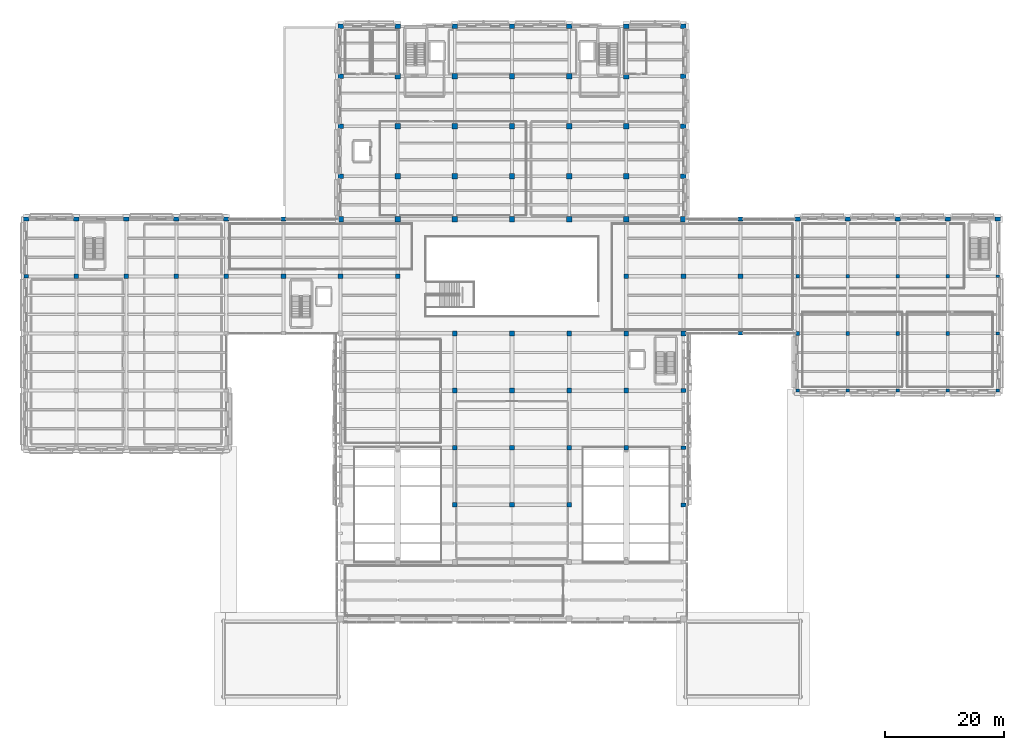
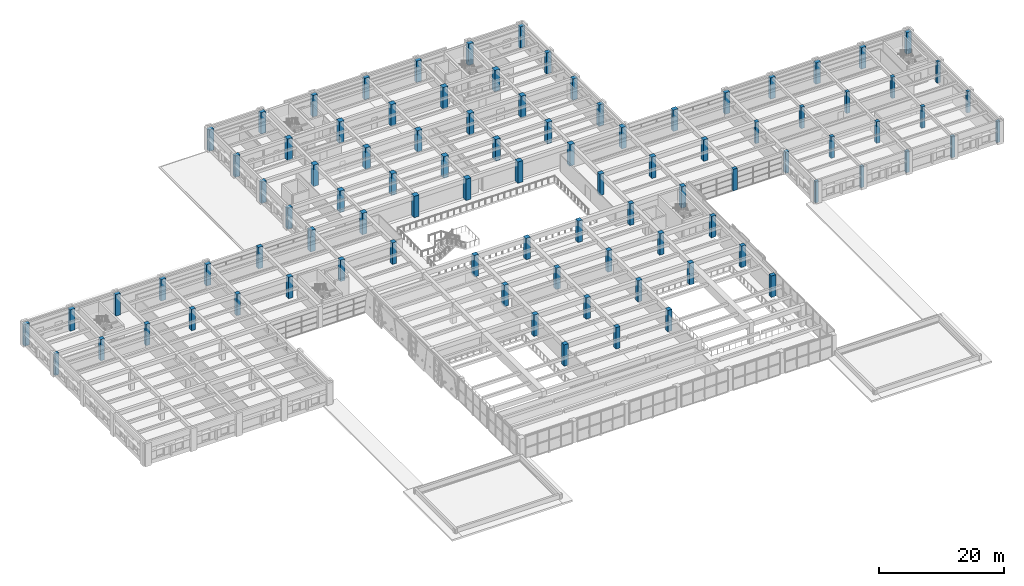
# One storey, part 5 of 49: 93 columns.
"""IFC4 building model written with IfcOpenShell, lengths in metres."""

from ifc_helpers import new_model, si_unit, direction, frame, origin, origin_2d, place, context, subcontext, project, spatial, rectangle, extrude, material, material_profile, profile_set, type_object, element, save


model = new_model("IFC4")

# Units and contexts
model_context = context("Model", 3, precision=1e-05, world=origin(), true_north=direction((0.0, 1.0)))
body_context = subcontext(model_context, "Body", "Model", "MODEL_VIEW")
ifc_project = project(units=[si_unit("LENGTHUNIT", "METRE"), si_unit("AREAUNIT", "SQUARE_METRE"), si_unit("VOLUMEUNIT", "CUBIC_METRE"), si_unit("PLANEANGLEUNIT", "RADIAN"), si_unit("MASSUNIT", "GRAM", prefix="KILO")], contexts=[model_context])

# Site, building, storey
site_placement = place(None, origin())
site = spatial("IfcSite", under=ifc_project, at=site_placement, CompositionType="ELEMENT")
building_placement = place(site_placement, origin())
building = spatial("IfcBuilding", under=site, at=building_placement, Name="Bempovik Park Faculty of Sciences", CompositionType="ELEMENT")
storey_placement = place(building_placement, frame((0.0, 0.0, 5.39990234375)))
storey = spatial("IfcBuildingStorey", under=building, at=storey_placement, Name="L01", CompositionType="ELEMENT", Elevation=5.39990234375)

# Columns
ifc_material_1 = material(Name="Concrete C40/50", Category="concrete")
ifc_material_profile_1 = material_profile(ifc_material_1, rectangle(XDim=0.89990234375, YDim=0.89990234375, at=origin_2d()), Name="RC 900x900")
ifc_profile_set_1 = profile_set([ifc_material_profile_1], Name="Concrete C40/50")
column_type_1 = type_object("IfcColumnType", Name="C-16 RC 900x900", PredefinedType="COLUMN", material=ifc_profile_set_1)
for number, where, z_axis, x_axis, name in (
    (1, (60.0, 87.0, 0.0), (0.0, 0.0, 1.0), (1.0, 0.0, 0.0), "L01 Structural Column (60.0,87.0)"),
    (2, (69.60009765625, 87.0, 0.0), (0.0, 0.0, 1.0), (1.0, 0.0, 0.0), "L01 Structural Column (69.6,87.0)"),
    (3, (69.60009765625, 94.199951171875, 0.0), (0.0, 0.0, 1.0), (1.0, 0.0, 0.0), "L01 Structural Column (69.6,94.2)"),
    (4, (69.60009765625, 102.60009765625, 0.0), (0.0, 0.0, 1.0), (1.0, 0.0, 0.0), "L01 Structural Column (69.6,102.6)"),
    (5, (69.60009765625, 111.0, 0.0), (0.0, 0.0, 1.0), (1.0, 0.0, 0.0), "L01 Structural Column (69.6,111.0)"),
    (6, (79.199951171875, 87.0, 0.0), (0.0, 0.0, 1.0), (1.0, 0.0, 0.0), "L01 Structural Column (79.2,87.0)"),
    (7, (79.199951171875, 94.199951171875, 0.0), (0.0, 0.0, 1.0), (1.0, 0.0, 0.0), "L01 Structural Column (79.2,94.2)"),
    (8, (79.199951171875, 102.60009765625, 0.0), (0.0, 0.0, 1.0), (1.0, 0.0, 0.0), "L01 Structural Column (79.2,102.6)"),
    (9, (79.199951171875, 111.0, 0.0), (0.0, 0.0, 1.0), (1.0, 0.0, 0.0), "L01 Structural Column (79.2,111.0)"),
    (10, (88.800048828125, 87.0, 0.0), (0.0, 0.0, 1.0), (1.0, 0.0, 0.0), "L01 Structural Column (88.8,87.0)"),
    (11, (88.800048828125, 94.199951171875, 0.0), (0.0, 0.0, 1.0), (1.0, 0.0, 0.0), "L01 Structural Column (88.8,94.2)"),
    (12, (88.800048828125, 102.60009765625, 0.0), (0.0, 0.0, 1.0), (1.0, 0.0, 0.0), "L01 Structural Column (88.8,102.6)"),
    (13, (88.800048828125, 111.0, 0.0), (0.0, 0.0, 1.0), (1.0, 0.0, 0.0), "L01 Structural Column (88.8,111.0)"),
    (14, (98.39990234375, 87.0, 0.0), (0.0, 0.0, 1.0), (1.0, 0.0, 0.0), "L01 Structural Column (98.4,87.0)"),
    (15, (98.39990234375, 94.199951171875, 0.0), (0.0, 0.0, 1.0), (1.0, 0.0, 0.0), "L01 Structural Column (98.4,94.2)"),
    (16, (98.39990234375, 102.60009765625, 0.0), (0.0, 0.0, 1.0), (1.0, 0.0, 0.0), "L01 Structural Column (98.4,102.6)"),
    (17, (98.39990234375, 111.0, 0.0), (0.0, 0.0, 1.0), (1.0, 0.0, 0.0), "L01 Structural Column (98.4,111.0)"),
    (18, (108.0, 87.0, 0.0), (0.0, 0.0, 1.0), (1.0, 0.0, 0.0), "L01 Structural Column (108.0,87.0)"),
    (19, (108.0, 94.199951171875, 0.0), (0.0, 0.0, 1.0), (1.0, 0.0, 0.0), "L01 Structural Column (108.0,94.2)"),
    (20, (108.0, 102.60009765625, 0.0), (0.0, 0.0, 1.0), (1.0, 0.0, 0.0), "L01 Structural Column (108.0,102.6)"),
    (21, (108.0, 111.0, 0.0), (0.0, 0.0, 1.0), (1.0, 0.0, 0.0), "L01 Structural Column (108.0,111.0)"),
    (22, (117.60009765625, 87.0, 0.0), (0.0, 0.0, 1.0), (1.0, 0.0, 0.0), "L01 Structural Column (117.6,87.0)"),
):
    element("IfcColumn", number, at=place(storey_placement, frame(where, z_axis=z_axis, x_axis=x_axis)), inside=storey, type_object=column_type_1, Name=name, PredefinedType="COLUMN", context=body_context, shape_type="SweptSolid", body=[
        extrude(rectangle(XDim=0.89990234375, YDim=0.89990234375, at=origin_2d()), origin(), (0.0, 0.0, 1.0), 4.18017578125),
    ])
ifc_material_profile_2 = material_profile(ifc_material_1, rectangle(XDim=0.719970703125, YDim=0.5400390625, at=origin_2d()), Name="RC 720x540")
ifc_profile_set_2 = profile_set([ifc_material_profile_2], Name="Concrete C40/50")
column_type_2 = type_object("IfcColumnType", Name="C-18 RC 720x540", PredefinedType="COLUMN", material=ifc_profile_set_2)
column_1_placement = place(storey_placement, frame((7.199951171875, 77.39990234375, 0.0), z_axis=(0.0, 0.0, 1.0), x_axis=(1.0, 0.0, 0.0)))
element("IfcColumn", 23, at=column_1_placement, inside=storey, type_object=column_type_2, Name="L01 Structural Column (7.2,77.4)", PredefinedType="COLUMN", context=body_context, shape_type="SweptSolid", body=[
    extrude(rectangle(XDim=0.719970703125, YDim=0.5400390625, at=origin_2d()), origin(), (0.0, 0.0, 1.0), 4.280029296875),
])
ifc_material_profile_3 = material_profile(ifc_material_1, rectangle(XDim=0.89990234375, YDim=0.699951171875, at=origin_2d()), Name="RC 900x700")
ifc_profile_set_3 = profile_set([ifc_material_profile_3], Name="Concrete C40/50")
column_type_3 = type_object("IfcColumnType", Name="C-25 RC 900x700", PredefinedType="COLUMN", material=ifc_profile_set_3)
column_2_placement = place(storey_placement, frame((7.199951171875, 87.0, 0.0), z_axis=(0.0, 0.0, 1.0), x_axis=(1.0, 0.0, 0.0)))
element("IfcColumn", 24, at=column_2_placement, inside=storey, type_object=column_type_3, Name="L01 Structural Column (7.2,87.0)", PredefinedType="COLUMN", context=body_context, shape_type="SweptSolid", body=[
    extrude(rectangle(XDim=0.89990234375, YDim=0.699951171875, at=origin_2d()), origin(), (0.0, 0.0, 1.0), 4.280029296875),
])
for number, where, z_axis, x_axis, name in (
    (25, (15.60009765625, 87.0, 0.0), (0.0, 0.0, 1.0), (1.0, 0.0, 0.0), "L01 Structural Column (15.6,87.0)"),
    (26, (24.0, 87.0, 0.0), (0.0, 0.0, 1.0), (1.0, 0.0, 0.0), "L01 Structural Column (24.0,87.0)"),
    (27, (32.39990234375, 87.0, 0.0), (0.0, 0.0, 1.0), (1.0, 0.0, 0.0), "L01 Structural Column (32.4,87.0)"),
    (28, (40.800048828125, 87.0, 0.0), (0.0, 0.0, 1.0), (1.0, 0.0, 0.0), "L01 Structural Column (40.8,87.0)"),
    (29, (50.39990234375, 87.0, 0.0), (0.0, 0.0, 1.0), (1.0, 0.0, 0.0), "L01 Structural Column (50.4,87.0)"),
    (30, (60.0, 94.199951171875, 0.0), (0.0, 0.0, 1.0), (1.0, 0.0, 0.0), "L01 Structural Column (60.0,94.2)"),
    (31, (60.0, 102.60009765625, 0.0), (0.0, 0.0, 1.0), (1.0, 0.0, 0.0), "L01 Structural Column (60.0,102.6)"),
    (32, (60.0, 111.0, 0.0), (0.0, 0.0, 1.0), (1.0, 0.0, 0.0), "L01 Structural Column (60.0,111.0)"),
    (33, (60.0, 119.39990234375, 0.0), (0.0, 0.0, 1.0), (1.0, 0.0, 0.0), "L01 Structural Column (60.0,119.4)"),
    (34, (69.60009765625, 119.39990234375, 0.0), (0.0, 0.0, 1.0), (1.0, 0.0, 0.0), "L01 Structural Column (69.6,119.4)"),
    (35, (79.199951171875, 119.39990234375, 0.0), (0.0, 0.0, 1.0), (1.0, 0.0, 0.0), "L01 Structural Column (79.2,119.4)"),
    (36, (88.800048828125, 119.39990234375, 0.0), (0.0, 0.0, 1.0), (1.0, 0.0, 0.0), "L01 Structural Column (88.8,119.4)"),
    (37, (98.39990234375, 119.39990234375, 0.0), (0.0, 0.0, 1.0), (1.0, 0.0, 0.0), "L01 Structural Column (98.4,119.4)"),
    (38, (108.0, 119.39990234375, 0.0), (0.0, 0.0, 1.0), (1.0, 0.0, 0.0), "L01 Structural Column (108.0,119.4)"),
    (39, (117.60009765625, 94.199951171875, 0.0), (0.0, 0.0, 1.0), (1.0, 0.0, 0.0), "L01 Structural Column (117.6,94.2)"),
    (40, (117.60009765625, 102.60009765625, 0.0), (0.0, 0.0, 1.0), (1.0, 0.0, 0.0), "L01 Structural Column (117.6,102.6)"),
    (41, (117.60009765625, 111.0, 0.0), (0.0, 0.0, 1.0), (1.0, 0.0, 0.0), "L01 Structural Column (117.6,111.0)"),
    (42, (117.60009765625, 119.39990234375, 0.0), (0.0, 0.0, 1.0), (1.0, 0.0, 0.0), "L01 Structural Column (117.6,119.4)"),
    (43, (127.199951171875, 87.0, 0.0), (0.0, 0.0, 1.0), (1.0, 0.0, 0.0), "L01 Structural Column (127.2,87.0)"),
    (44, (136.800048828125, 87.0, 0.0), (0.0, 0.0, 1.0), (1.0, 0.0, 0.0), "L01 Structural Column (136.8,87.0)"),
    (45, (145.199951171875, 87.0, 0.0), (0.0, 0.0, 1.0), (1.0, 0.0, 0.0), "L01 Structural Column (145.2,87.0)"),
    (46, (153.60009765625, 87.0, 0.0), (0.0, 0.0, 1.0), (1.0, 0.0, 0.0), "L01 Structural Column (153.6,87.0)"),
    (47, (162.0, 87.0, 0.0), (0.0, 0.0, 1.0), (1.0, 0.0, 0.0), "L01 Structural Column (162.0,87.0)"),
    (48, (170.39990234375, 87.0, 0.0), (0.0, 0.0, 1.0), (1.0, 0.0, 0.0), "L01 Structural Column (170.4,87.0)"),
):
    element("IfcColumn", number, at=place(storey_placement, frame(where, z_axis=z_axis, x_axis=x_axis)), inside=storey, type_object=column_type_3, Name=name, PredefinedType="COLUMN", context=body_context, shape_type="SweptSolid", body=[
        extrude(rectangle(XDim=0.89990234375, YDim=0.699951171875, at=origin_2d()), origin(), (0.0, 0.0, 1.0), 4.18017578125),
    ])
ifc_material_profile_4 = material_profile(ifc_material_1, rectangle(XDim=0.719970703125, YDim=0.719970703125, at=origin_2d()), Name="RC 720x720")
ifc_profile_set_4 = profile_set([ifc_material_profile_4], Name="Concrete C40/50")
column_type_4 = type_object("IfcColumnType", Name="C-28 RC 720x720", PredefinedType="COLUMN", material=ifc_profile_set_4)
for number, where, z_axis, x_axis, name in (
    (49, (15.60009765625, 77.39990234375, 0.0), (0.0, 0.0, 1.0), (1.0, 0.0, 0.0), "L01 Structural Column (15.6,77.4)"),
    (50, (24.0, 77.39990234375, 0.0), (0.0, 0.0, 1.0), (1.0, 0.0, 0.0), "L01 Structural Column (24.0,77.4)"),
    (51, (32.39990234375, 77.39990234375, 0.0), (0.0, 0.0, 1.0), (1.0, 0.0, 0.0), "L01 Structural Column (32.4,77.4)"),
    (52, (40.800048828125, 77.39990234375, 0.0), (0.0, 0.0, 1.0), (1.0, 0.0, 0.0), "L01 Structural Column (40.8,77.4)"),
):
    element("IfcColumn", number, at=place(storey_placement, frame(where, z_axis=z_axis, x_axis=x_axis)), inside=storey, type_object=column_type_4, Name=name, PredefinedType="COLUMN", context=body_context, shape_type="SweptSolid", body=[
        extrude(rectangle(XDim=0.719970703125, YDim=0.719970703125, at=origin_2d()), origin(), (0.0, 0.0, 1.0), 4.18017578125),
    ])
ifc_material_2 = material(Name="Concrete C35/45", Category="concrete")
ifc_material_profile_5 = material_profile(ifc_material_2, rectangle(XDim=0.6201171875, YDim=0.6201171875, at=origin_2d()), Name="RC 620x620")
ifc_profile_set_5 = profile_set([ifc_material_profile_5], Name="Concrete C35/45")
column_type_5 = type_object("IfcColumnType", Name="C-31 RC 620x620", PredefinedType="COLUMN", material=ifc_profile_set_5)
for number, where, z_axis, x_axis, name in (
    (53, (136.800048828125, 67.800048828125, 0.0), (0.0, 0.0, 1.0), (1.0, 0.0, 0.0), "L01 Structural Column (136.8,67.8)"),
    (54, (136.800048828125, 77.39990234375, 0.0), (0.0, 0.0, 1.0), (1.0, 0.0, 0.0), "L01 Structural Column (136.8,77.4)"),
    (55, (145.199951171875, 67.800048828125, 0.0), (0.0, 0.0, 1.0), (1.0, 0.0, 0.0), "L01 Structural Column (145.2,67.8)"),
    (56, (145.199951171875, 77.39990234375, 0.0), (0.0, 0.0, 1.0), (1.0, 0.0, 0.0), "L01 Structural Column (145.2,77.4)"),
    (57, (153.60009765625, 67.800048828125, 0.0), (0.0, 0.0, 1.0), (1.0, 0.0, 0.0), "L01 Structural Column (153.6,67.8)"),
    (58, (153.60009765625, 77.39990234375, 0.0), (0.0, 0.0, 1.0), (1.0, 0.0, 0.0), "L01 Structural Column (153.6,77.4)"),
    (59, (162.0, 67.800048828125, 0.0), (0.0, 0.0, 1.0), (1.0, 0.0, 0.0), "L01 Structural Column (162.0,67.8)"),
    (60, (162.0, 77.39990234375, 0.0), (0.0, 0.0, 1.0), (1.0, 0.0, 0.0), "L01 Structural Column (162.0,77.4)"),
):
    element("IfcColumn", number, at=place(storey_placement, frame(where, z_axis=z_axis, x_axis=x_axis)), inside=storey, type_object=column_type_5, Name=name, PredefinedType="COLUMN", context=body_context, shape_type="SweptSolid", body=[
        extrude(rectangle(XDim=0.6201171875, YDim=0.6201171875, at=origin_2d()), origin(), (0.0, 0.0, 1.0), 4.18017578125),
    ])
ifc_material_profile_6 = material_profile(ifc_material_1, rectangle(XDim=0.800048828125, YDim=0.800048828125, at=origin_2d()), Name="RC 800x800")
ifc_profile_set_6 = profile_set([ifc_material_profile_6], Name="Concrete C40/50")
column_type_6 = type_object("IfcColumnType", Name="C-33 RC 800x800", PredefinedType="COLUMN", material=ifc_profile_set_6)
for number, where, z_axis, x_axis, name in (
    (61, (50.39990234375, 77.39990234375, 0.0), (0.0, 0.0, 1.0), (1.0, 0.0, 0.0), "L01 Structural Column (50.4,77.4)"),
    (62, (60.0, 77.39990234375, 0.0), (0.0, 0.0, 1.0), (1.0, 0.0, 0.0), "L01 Structural Column (60.0,77.4)"),
    (63, (69.60009765625, 77.39990234375, 0.0), (0.0, 0.0, 1.0), (1.0, 0.0, 0.0), "L01 Structural Column (69.6,77.4)"),
    (64, (79.199951171875, 39.0, 0.0), (0.0, 0.0, 1.0), (1.0, 0.0, 0.0), "L01 Structural Column (79.2,39.0)"),
    (65, (79.199951171875, 48.60009765625, 0.0), (0.0, 0.0, 1.0), (1.0, 0.0, 0.0), "L01 Structural Column (79.2,48.6)"),
    (66, (79.199951171875, 58.199951171875, 0.0), (0.0, 0.0, 1.0), (1.0, 0.0, 0.0), "L01 Structural Column (79.2,58.2)"),
    (67, (79.199951171875, 67.800048828125, 0.0), (0.0, 0.0, 1.0), (1.0, 0.0, 0.0), "L01 Structural Column (79.2,67.8)"),
    (68, (88.800048828125, 39.0, 0.0), (0.0, 0.0, 1.0), (1.0, 0.0, 0.0), "L01 Structural Column (88.8,39.0)"),
    (69, (88.800048828125, 48.60009765625, 0.0), (0.0, 0.0, 1.0), (1.0, 0.0, 0.0), "L01 Structural Column (88.8,48.6)"),
    (70, (88.800048828125, 58.199951171875, 0.0), (0.0, 0.0, 1.0), (1.0, 0.0, 0.0), "L01 Structural Column (88.8,58.2)"),
    (71, (88.800048828125, 67.800048828125, 0.0), (0.0, 0.0, 1.0), (1.0, 0.0, 0.0), "L01 Structural Column (88.8,67.8)"),
    (72, (98.39990234375, 39.0, 0.0), (0.0, 0.0, 1.0), (1.0, 0.0, 0.0), "L01 Structural Column (98.4,39.0)"),
    (73, (98.39990234375, 48.60009765625, 0.0), (0.0, 0.0, 1.0), (1.0, 0.0, 0.0), "L01 Structural Column (98.4,48.6)"),
    (74, (98.39990234375, 58.199951171875, 0.0), (0.0, 0.0, 1.0), (1.0, 0.0, 0.0), "L01 Structural Column (98.4,58.2)"),
    (75, (98.39990234375, 67.800048828125, 0.0), (0.0, 0.0, 1.0), (1.0, 0.0, 0.0), "L01 Structural Column (98.4,67.8)"),
    (76, (108.0, 48.60009765625, 0.0), (0.0, 0.0, 1.0), (1.0, 0.0, 0.0), "L01 Structural Column (108.0,48.6)"),
    (77, (108.0, 58.199951171875, 0.0), (0.0, 0.0, 1.0), (1.0, 0.0, 0.0), "L01 Structural Column (108.0,58.2)"),
    (78, (108.0, 67.800048828125, 0.0), (0.0, 0.0, 1.0), (1.0, 0.0, 0.0), "L01 Structural Column (108.0,67.8)"),
    (79, (108.0, 77.39990234375, 0.0), (0.0, 0.0, 1.0), (1.0, 0.0, 0.0), "L01 Structural Column (108.0,77.4)"),
    (80, (117.60009765625, 67.800048828125, 0.0), (0.0, 0.0, 1.0), (1.0, 0.0, 0.0), "L01 Structural Column (117.6,67.8)"),
    (81, (117.60009765625, 77.39990234375, 0.0), (0.0, 0.0, 1.0), (1.0, 0.0, 0.0), "L01 Structural Column (117.6,77.4)"),
    (82, (127.199951171875, 77.39990234375, 0.0), (0.0, 0.0, 1.0), (1.0, 0.0, 0.0), "L01 Structural Column (127.2,77.4)"),
):
    element("IfcColumn", number, at=place(storey_placement, frame(where, z_axis=z_axis, x_axis=x_axis)), inside=storey, type_object=column_type_6, Name=name, PredefinedType="COLUMN", context=body_context, shape_type="SweptSolid", body=[
        extrude(rectangle(XDim=0.800048828125, YDim=0.800048828125, at=origin_2d()), origin(), (0.0, 0.0, 1.0), 4.18017578125),
    ])
ifc_material_profile_7 = material_profile(ifc_material_1, rectangle(XDim=0.800048828125, YDim=0.60009765625, at=origin_2d()), Name="RC 800x600")
ifc_profile_set_7 = profile_set([ifc_material_profile_7], Name="Concrete C40/50")
column_type_7 = type_object("IfcColumnType", Name="C-55 RC 800x600", PredefinedType="COLUMN", material=ifc_profile_set_7)
column_3_placement = place(storey_placement, frame((127.199951171875, 67.800048828125, 0.0), z_axis=(0.0, 0.0, 1.0), x_axis=(1.0, 0.0, 0.0)))
element("IfcColumn", 83, at=column_3_placement, inside=storey, type_object=column_type_7, Name="L01 Structural Column (127.2,67.8)", PredefinedType="COLUMN", context=body_context, shape_type="SweptSolid", body=[
    extrude(rectangle(XDim=0.800048828125, YDim=0.60009765625, at=origin_2d()), origin(), (0.0, 0.0, 1.0), 4.18017578125),
])
ifc_material_profile_8 = material_profile(ifc_material_2, rectangle(XDim=0.6201171875, YDim=0.4599609375, at=origin_2d()), Name="RC 620x460")
ifc_profile_set_8 = profile_set([ifc_material_profile_8], Name="Concrete C35/45")
column_type_8 = type_object("IfcColumnType", Name="C-59 RC 620x460", PredefinedType="COLUMN", material=ifc_profile_set_8)
for number, where, z_axis, x_axis, name in (
    (84, (136.800048828125, 58.199951171875, 0.0), (0.0, 0.0, 1.0), (1.0, 0.0, 0.0), "L01 Structural Column (136.8,58.2)"),
    (85, (145.199951171875, 58.199951171875, 0.0), (0.0, 0.0, 1.0), (1.0, 0.0, 0.0), "L01 Structural Column (145.2,58.2)"),
    (86, (153.60009765625, 58.199951171875, 0.0), (0.0, 0.0, 1.0), (1.0, 0.0, 0.0), "L01 Structural Column (153.6,58.2)"),
    (87, (162.0, 58.199951171875, 0.0), (0.0, 0.0, 1.0), (1.0, 0.0, 0.0), "L01 Structural Column (162.0,58.2)"),
    (88, (170.39990234375, 58.199951171875, 0.0), (0.0, 0.0, 1.0), (1.0, 0.0, 0.0), "L01 Structural Column (170.4,58.2)"),
    (89, (170.39990234375, 67.800048828125, 0.0), (0.0, 0.0, 1.0), (1.0, 0.0, 0.0), "L01 Structural Column (170.4,67.8)"),
    (90, (170.39990234375, 77.39990234375, 0.0), (0.0, 0.0, 1.0), (1.0, 0.0, 0.0), "L01 Structural Column (170.4,77.4)"),
):
    element("IfcColumn", number, at=place(storey_placement, frame(where, z_axis=z_axis, x_axis=x_axis)), inside=storey, type_object=column_type_8, Name=name, PredefinedType="COLUMN", context=body_context, shape_type="SweptSolid", body=[
        extrude(rectangle(XDim=0.6201171875, YDim=0.4599609375, at=origin_2d()), origin(), (0.0, 0.0, 1.0), 4.18017578125),
    ])
ifc_material_profile_9 = material_profile(ifc_material_1, rectangle(XDim=0.85009765625, YDim=0.64990234375, at=origin_2d()), Name="RC 850x650")
ifc_profile_set_9 = profile_set([ifc_material_profile_9], Name="Concrete C40/50")
column_type_9 = type_object("IfcColumnType", Name="C-71 RC 850x650", PredefinedType="COLUMN", material=ifc_profile_set_9)
for number, where, z_axis, x_axis, name in (
    (91, (117.60009765625, 39.0, 0.0), (0.0, 0.0, 1.0), (1.0, 0.0, 0.0), "L01 Structural Column (117.6,39.0)"),
    (92, (117.60009765625, 48.60009765625, 0.0), (0.0, 0.0, 1.0), (1.0, 0.0, 0.0), "L01 Structural Column (117.6,48.6)"),
    (93, (117.60009765625, 58.199951171875, 0.0), (0.0, 0.0, 1.0), (1.0, 0.0, 0.0), "L01 Structural Column (117.6,58.2)"),
):
    element("IfcColumn", number, at=place(storey_placement, frame(where, z_axis=z_axis, x_axis=x_axis)), inside=storey, type_object=column_type_9, Name=name, PredefinedType="COLUMN", context=body_context, shape_type="SweptSolid", body=[
        extrude(rectangle(XDim=0.85009765625, YDim=0.64990234375, at=origin_2d()), origin(), (0.0, 0.0, 1.0), 4.18017578125),
    ])

save(model, "model.ifc")
